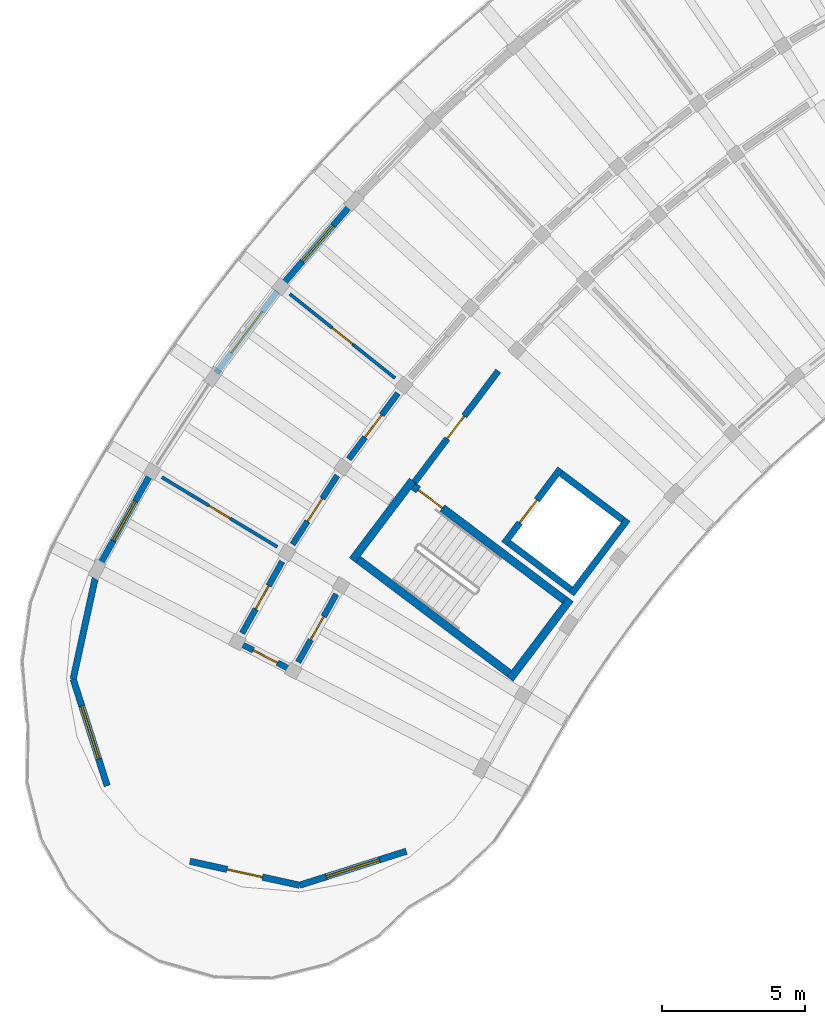
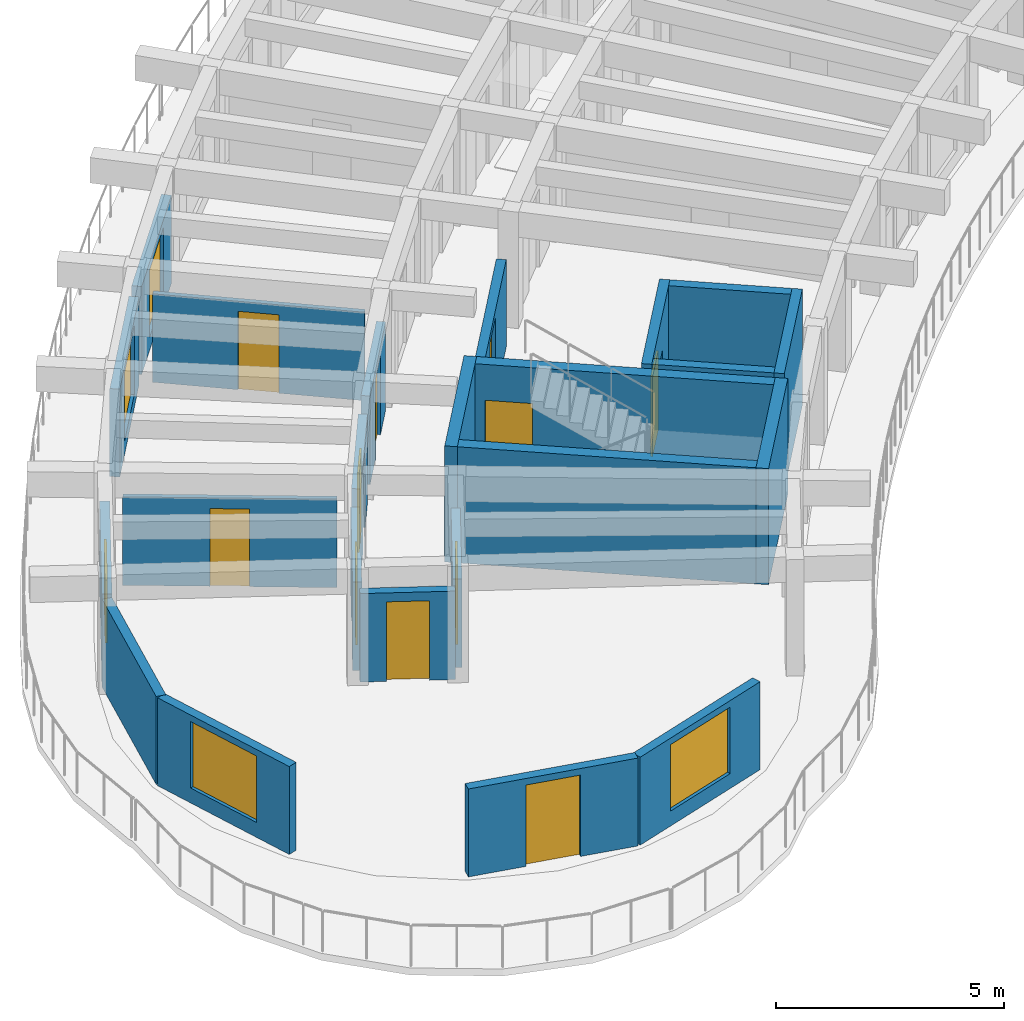
# One storey, part 9 of 19: 23 walls, 11 doors, 5 windows, 16 openings.
"""IFC4 building model written with IfcOpenShell, lengths in metres."""

import ifcopenshell
import ifcopenshell.guid

model = None  # the IFC model being written
_history = None  # IfcOwnerHistory: only IFC2X3 demands one
_inside = {}  # id of a spatial element -> (the spatial element, [elements in it])
_under = {}  # id of a project, library or spatial element -> (it, [spatial elements below it])
_declared = {}  # id of a project -> (the project, [libraries it declares])
_typed = {}  # id of a type object -> (the type object, [elements of that type])
_made_of = {}  # id of a material, layer set ... -> (it, [elements and type objects made of it])


def new_model(schema):
    """Start an empty IFC model of exactly this schema.

    Asked for "IFC4X3", IfcOpenShell would pick the latest addendum, in which some entities
    have other attributes; the version numbers below select the first issue.
    IFC2X3 requires an IfcOwnerHistory on every rooted entity: one is made here for all.
    """
    global model, _history
    if schema == "IFC4X3":
        model = ifcopenshell.file(schema_version=(4, 3, 0, 0))
    else:
        model = ifcopenshell.file(schema=schema)
    _inside.clear()
    _under.clear()
    _declared.clear()
    _typed.clear()
    _made_of.clear()
    _history = None
    if model.schema == "IFC2X3":
        org = make("IfcOrganization", Name="unknown")
        user = make(
            "IfcPersonAndOrganization",
            ThePerson=make("IfcPerson", FamilyName="unknown"),
            TheOrganization=org,
        )
        app = make(
            "IfcApplication",
            ApplicationDeveloper=org,
            Version="unknown",
            ApplicationFullName="unknown",
            ApplicationIdentifier="unknown",
        )
        _history = make(
            "IfcOwnerHistory",
            OwningUser=user,
            OwningApplication=app,
            ChangeAction="ADDED",
            CreationDate=0,
        )
    return model


def make(cls, **values):
    """One entity of the class cls with the attributes given. An attribute that is None is left unset."""
    return model.create_entity(
        cls, **{name: value for name, value in values.items() if value is not None}
    )


def rooted(cls, **values):
    """An entity with a GlobalId (a new one), such as an element, a storey or a relation."""
    return make(cls, GlobalId=ifcopenshell.guid.new(), OwnerHistory=_history, **values)


def si_unit(unit_type, name, prefix=None):
    """IfcSIUnit, for example si_unit("LENGTHUNIT", "METRE", prefix="MILLI")."""
    return make("IfcSIUnit", UnitType=unit_type, Prefix=prefix, Name=name)


def assignment(units):
    """IfcUnitAssignment: the units of a project."""
    return None if units is None else make("IfcUnitAssignment", Units=units)


def point(xyz):
    """IfcCartesianPoint."""
    return None if xyz is None else make("IfcCartesianPoint", Coordinates=xyz)


def direction(xyz):
    """IfcDirection."""
    return None if xyz is None else make("IfcDirection", DirectionRatios=xyz)


def frame(location, z_axis=None, x_axis=None):
    """IfcAxis2Placement3D, a coordinate frame: its origin and axes. An axis left out is left unset."""
    return make(
        "IfcAxis2Placement3D",
        Location=point(location),
        Axis=direction(z_axis),
        RefDirection=direction(x_axis),
    )


def frame_2d(location, x_axis=None):
    """IfcAxis2Placement2D, a coordinate frame in the plane: its origin and x axis."""
    return make(
        "IfcAxis2Placement2D", Location=point(location), RefDirection=direction(x_axis)
    )


def origin():
    """The frame at (0, 0, 0) with its axes left unset."""
    return frame((0.0, 0.0, 0.0))


def place(relative_to, where):
    """IfcLocalPlacement: puts the frame where relative to a parent placement (None: the world)."""
    return make(
        "IfcLocalPlacement", PlacementRelTo=relative_to, RelativePlacement=where
    )


def context(
    kind, dimensions, precision=None, world=None, true_north=None, identifier=None
):
    """IfcGeometricRepresentationContext, for example the 3D "Model" context."""
    return make(
        "IfcGeometricRepresentationContext",
        ContextIdentifier=identifier,
        ContextType=kind,
        CoordinateSpaceDimension=dimensions,
        Precision=precision,
        WorldCoordinateSystem=world,
        TrueNorth=true_north,
    )


def subcontext(parent, identifier, kind, view, scale=None):
    """IfcGeometricRepresentationSubContext, for example "Body" below "Model"."""
    return make(
        "IfcGeometricRepresentationSubContext",
        ContextIdentifier=identifier,
        ContextType=kind,
        ParentContext=parent,
        TargetScale=scale,
        TargetView=view,
    )


def project(units=None, contexts=None):
    """IfcProject with its units and contexts."""
    return rooted(
        "IfcProject",
        Name="project",
        RepresentationContexts=contexts,
        UnitsInContext=assignment(units),
    )


def spatial(cls, under=None, at=None, **own):
    """A site, building, storey or space (cls), placed at a placement, below another one or the project."""
    s = rooted(cls, ObjectPlacement=at, **own)
    if under is not None:
        _under.setdefault(under.id(), (under, []))[1].append(s)
    return s


def profile(cls, at=None, kind="AREA", **sizes):
    """A parametric profile (cls). Its sizes go by their IFC names, for example OverallWidth=200.0."""
    return make(cls, ProfileType=kind, Position=at, **sizes)


def rectangle(**sizes):
    """IfcRectangleProfileDef."""
    return profile("IfcRectangleProfileDef", **sizes)


def extrude(swept, where, along, depth):
    """IfcExtrudedAreaSolid: the profile swept, set in the frame where, extruded along a direction by depth."""
    return make(
        "IfcExtrudedAreaSolid",
        SweptArea=swept,
        Position=where,
        ExtrudedDirection=direction(along),
        Depth=depth,
    )


def shape(context_of_items, identifier, shape_type, items):
    """IfcShapeRepresentation: the items that make up one representation, for example the "Body"."""
    return make(
        "IfcShapeRepresentation",
        ContextOfItems=context_of_items,
        RepresentationIdentifier=identifier,
        RepresentationType=shape_type,
        Items=items,
    )


def material(Name=None, Category=None):
    """IfcMaterial."""
    return make("IfcMaterial", Name=Name, Category=Category)


def layer(
    of_material, thickness, ventilated=None, Name=None, Category=None, Priority=None
):
    """IfcMaterialLayer: one layer of a wall or slab, of a material (None: an air gap)."""
    return make(
        "IfcMaterialLayer",
        Material=of_material,
        LayerThickness=thickness,
        IsVentilated=ventilated,
        Name=Name,
        Category=Category,
        Priority=Priority,
    )


def layer_set(layers, Name=None):
    """IfcMaterialLayerSet."""
    return make("IfcMaterialLayerSet", MaterialLayers=layers, LayerSetName=Name)


def made_of(thing, what):
    """Note that an element or type object is made of a material, layer set ...; save() writes the relation."""
    if what is not None:
        _made_of.setdefault(what.id(), (what, []))[1].append(thing)
    return thing


def type_object(cls, material=None, **own):
    """A type object (cls), such as IfcWallType, which elements share."""
    return made_of(rooted(cls, **own), material)


def element(
    cls,
    number,
    at=None,
    inside=None,
    cuts=None,
    type_object=None,
    material=None,
    context=None,
    identifier="Body",
    shape_type=None,
    held_by="IfcProductDefinitionShape",
    body=None,
    shapes=None,
    **own,
):
    """One element of the class cls, such as IfcWall. Its Tag is "e" and its number.

    at: its placement. inside: the storey or other place that contains it. cuts: it is an
    opening in that element (IfcRelVoidsElement). A single representation is given by context,
    identifier, shape_type and body (its items); several are given by shapes. held_by: the class
    of the entity that holds the representations. save() writes the other relations.
    """
    e = rooted(cls, Tag="e%d" % number, ObjectPlacement=at, **own)
    if body is not None:
        shapes = [shape(context, identifier, shape_type, body)]
    if shapes is not None:
        e.Representation = make(held_by, Representations=shapes)
    if inside is not None:
        _inside.setdefault(inside.id(), (inside, []))[1].append(e)
    if cuts is not None:
        rooted(
            "IfcRelVoidsElement", RelatingBuildingElement=cuts, RelatedOpeningElement=e
        )
    if type_object is not None:
        _typed.setdefault(type_object.id(), (type_object, []))[1].append(e)
    return made_of(e, material)


def fill(opening, filler):
    """IfcRelFillsElement: the door or window that sits in an opening."""
    return rooted(
        "IfcRelFillsElement",
        RelatingOpeningElement=opening,
        RelatedBuildingElement=filler,
    )


def aggregate(whole, parts):
    """IfcRelAggregates: a whole, such as a stair, and the parts it consists of."""
    return rooted("IfcRelAggregates", RelatingObject=whole, RelatedObjects=parts)


def save(model, path):
    """Write the relations noted so far, then the file.

    IfcRelAggregates (storeys below a building ...), IfcRelContainedInSpatialStructure (elements
    in a storey), IfcRelDefinesByType, IfcRelAssociatesMaterial and IfcRelDeclares: one each for
    every whole, place, type object, material and project.
    """
    for whole, parts in _under.values():
        aggregate(whole, parts)
    for where, things in _inside.values():
        rooted(
            "IfcRelContainedInSpatialStructure",
            RelatedElements=things,
            RelatingStructure=where,
        )
    for kind, things in _typed.values():
        rooted("IfcRelDefinesByType", RelatedObjects=things, RelatingType=kind)
    for what, things in _made_of.values():
        rooted("IfcRelAssociatesMaterial", RelatedObjects=things, RelatingMaterial=what)
    for by, libraries in _declared.values():
        rooted("IfcRelDeclares", RelatingContext=by, RelatedDefinitions=libraries)
    model.write(path)


model = new_model("IFC4")

# Units and contexts
model_context = context("Model", 3, precision=1e-05, world=origin(), true_north=direction((0.0, 1.0)))
body_context = subcontext(model_context, "Body", "Model", "MODEL_VIEW")
ifc_project = project(units=[si_unit("LENGTHUNIT", "METRE"), si_unit("AREAUNIT", "SQUARE_METRE"), si_unit("VOLUMEUNIT", "CUBIC_METRE"), si_unit("PLANEANGLEUNIT", "RADIAN"), si_unit("MASSUNIT", "GRAM", prefix="KILO")], contexts=[model_context])

# Site, building, storey
site_placement = place(None, origin())
site = spatial("IfcSite", under=ifc_project, at=site_placement, CompositionType="ELEMENT")
building_placement = place(site_placement, origin())
building = spatial("IfcBuilding", under=site, at=building_placement, Name="Tanwirah Colonnade Gardens", CompositionType="ELEMENT")
storey_placement = place(building_placement, frame((0.0, 0.0, 45.800048828125)))
storey = spatial("IfcBuildingStorey", under=building, at=storey_placement, Name="L13", CompositionType="ELEMENT", Elevation=45.800048828125)

# Wall, opening, window
ifc_material_1 = material(Name="Limestone architectural precast concrete C40/50", Category="masonry")
ifc_layer_1 = layer(ifc_material_1, 0.22509765625)
ifc_layer_set_1 = layer_set([ifc_layer_1], Name="Limestone architectural precast concrete C40/50")
wall_type_1 = type_object("IfcWallType", Name="EW-PC225", PredefinedType="SOLIDWALL", material=ifc_layer_set_1)
wall_1_placement = place(storey_placement, frame((20.948974609375, 100.263427734375, 0.0), z_axis=(0.0, 0.0, 1.0), x_axis=(-0.650198292739, -0.759764555714, 0.0)))
wall_1 = element("IfcWall", 1, at=wall_1_placement, inside=storey, type_object=wall_type_1, Name="Block A L13 OUT Precast Facade Wall 11", PredefinedType="SOLIDWALL", context=body_context, shape_type="SweptSolid", body=[
    extrude(rectangle(XDim=3.560791015625, YDim=0.22509765625, at=frame_2d((1.7802734375, 0.0))), origin(), (0.0, 0.0, 1.0), 2.35498046875),
])
opening_1_placement = place(wall_1_placement, frame((0.955322265625, 0.0, 0.35009765625)))
opening_1 = element("IfcOpeningElement", 2, at=opening_1_placement, cuts=wall_1, Name="Opening WIN-T11", PredefinedType="OPENING", context=body_context, shape_type="SweptSolid", body=[
    extrude(rectangle(XDim=1.64990234375, YDim=1.800048828125, at=frame_2d((0.824951171875, 0.89990234375))), frame((0.0, 0.12255859375, 0.0), z_axis=(0.0, -1.0, 0.0), x_axis=(1.0, 0.0, 0.0)), (0.0, 0.0, 1.0), 0.2451171875),
])
ifc_material_2 = material(Name="Thermally broken bronze aluminium and solar low-E double glazing", Category="aluminium")
window_type_1 = type_object("IfcWindowType", Name="WIN-T11", PartitioningType="DOUBLE_PANEL_VERTICAL", PredefinedType="WINDOW", material=ifc_material_2)
window_1_placement = place(opening_1_placement, origin())
window_1 = element("IfcWindow", 3, at=window_1_placement, inside=storey, type_object=window_type_1, Name="Facade window A-L13-OUT-11", OverallHeight=1.800048828125, OverallWidth=1.64990234375, PartitioningType="SINGLE_PANEL", PredefinedType="WINDOW", context=body_context, shape_type="SweptSolid", body=[
    extrude(rectangle(XDim=1.64990234375, YDim=1.800048828125, at=frame_2d((0.824951171875, 0.89990234375))), frame((0.0, 0.030029296875, 0.0), z_axis=(0.0, -1.0, 0.0), x_axis=(1.0, 0.0, 0.0)), (0.0, 0.0, 1.0), 0.06005859375),
])
fill(opening_1, window_1)

wall_2_placement = place(storey_placement, frame((18.384033203125, 97.245849609375, 0.0), z_axis=(0.0, 0.0, 1.0), x_axis=(-0.598737598815, -0.800945246422, 0.0)))
wall_2 = element("IfcWall", 4, at=wall_2_placement, inside=storey, type_object=wall_type_1, Name="Block A L13 OUT Precast Facade Wall 12", PredefinedType="SOLIDWALL", context=body_context, shape_type="SweptSolid", body=[
    extrude(rectangle(XDim=3.560546875, YDim=0.22509765625, at=frame_2d((1.7802734375, 0.0))), origin(), (0.0, 0.0, 1.0), 2.35498046875),
])
opening_2_placement = place(wall_2_placement, frame((0.88037109375, 0.0, 0.35009765625)))
opening_2 = element("IfcOpeningElement", 5, at=opening_2_placement, cuts=wall_2, Name="Opening WIN-T14", PredefinedType="OPENING", context=body_context, shape_type="SweptSolid", body=[
    extrude(rectangle(XDim=1.800048828125, YDim=1.85009765625, at=frame_2d((0.89990234375, 0.925048828125))), frame((0.0, 0.12255859375, 0.0), z_axis=(0.0, -1.0, 0.0), x_axis=(1.0, 0.0, 0.0)), (0.0, 0.0, 1.0), 0.2451171875),
])
window_type_2 = type_object("IfcWindowType", Name="WIN-T14", PartitioningType="TRIPLE_PANEL_VERTICAL", PredefinedType="WINDOW", material=ifc_material_2)
window_2_placement = place(opening_2_placement, origin())
window_2 = element("IfcWindow", 6, at=window_2_placement, inside=storey, type_object=window_type_2, Name="Facade window A-L13-OUT-12", OverallHeight=1.85009765625, OverallWidth=1.800048828125, PartitioningType="SINGLE_PANEL", PredefinedType="WINDOW", context=body_context, shape_type="SweptSolid", body=[
    extrude(rectangle(XDim=1.800048828125, YDim=1.85009765625, at=frame_2d((0.89990234375, 0.925048828125))), frame((0.0, 0.030029296875, 0.0), z_axis=(0.0, -1.0, 0.0), x_axis=(1.0, 0.0, 0.0)), (0.0, 0.0, 1.0), 0.06005859375),
])
fill(opening_2, window_2)

wall_3_placement = place(storey_placement, frame((13.917724609375, 90.794921875, 0.0), z_axis=(0.0, 0.0, 1.0), x_axis=(-0.488225442288, -0.872717547379, 0.0)))
wall_3 = element("IfcWall", 7, at=wall_3_placement, inside=storey, type_object=wall_type_1, Name="Block A L13 OUT Precast Facade Wall 14", PredefinedType="SOLIDWALL", context=body_context, shape_type="SweptSolid", body=[
    extrude(rectangle(XDim=3.560791015625, YDim=0.22509765625, at=frame_2d((1.7802734375, 0.0))), origin(), (0.0, 0.0, 1.0), 2.35498046875),
])
opening_3_placement = place(wall_3_placement, frame((0.990478515625, 0.0, 0.35009765625)))
opening_3 = element("IfcOpeningElement", 8, at=opening_3_placement, cuts=wall_3, Name="Opening WIN-T20", PredefinedType="OPENING", context=body_context, shape_type="SweptSolid", body=[
    extrude(rectangle(XDim=1.580078125, YDim=1.679931640625, at=frame_2d((0.7900390625, 0.83984375))), frame((0.0, 0.12255859375, 0.0), z_axis=(0.0, -1.0, 0.0), x_axis=(1.0, 0.0, 0.0)), (0.0, 0.0, 1.0), 0.2451171875),
])
window_type_3 = type_object("IfcWindowType", Name="WIN-T20", PartitioningType="DOUBLE_PANEL_VERTICAL", PredefinedType="WINDOW", material=ifc_material_2)
window_3_placement = place(opening_3_placement, origin())
window_3 = element("IfcWindow", 9, at=window_3_placement, inside=storey, type_object=window_type_3, Name="Facade window A-L13-OUT-14", OverallHeight=1.679931640625, OverallWidth=1.580078125, PartitioningType="SINGLE_PANEL", PredefinedType="WINDOW", context=body_context, shape_type="SweptSolid", body=[
    extrude(rectangle(XDim=1.580078125, YDim=1.679931640625, at=frame_2d((0.7900390625, 0.83984375))), frame((0.0, 0.030029296875, 0.0), z_axis=(0.0, -1.0, 0.0), x_axis=(1.0, 0.0, 0.0)), (0.0, 0.0, 1.0), 0.06005859375),
])
fill(opening_3, window_3)

wall_4_placement = place(storey_placement, frame((22.880859375, 77.720947265625, 0.0), z_axis=(0.0, 0.0, 1.0), x_axis=(-0.952839597628, -0.30347438309, 0.0)))
wall_4 = element("IfcWall", 10, at=wall_4_placement, inside=storey, type_object=wall_type_1, Name="Block A L13 END Rounded End Wall 1", PredefinedType="SOLIDWALL", context=body_context, shape_type="SweptSolid", body=[
    extrude(rectangle(XDim=3.908203125, YDim=0.22509765625, at=frame_2d((1.9541015625, 0.0))), origin(), (0.0, 0.0, 1.0), 2.35498046875),
])
opening_4_placement = place(wall_4_placement, frame((0.97900390625, 0.0, 0.39990234375)))
opening_4 = element("IfcOpeningElement", 11, at=opening_4_placement, cuts=wall_4, Name="Opening WIN-END2", PredefinedType="OPENING", context=body_context, shape_type="SweptSolid", body=[
    extrude(rectangle(XDim=1.949951171875, YDim=1.780029296875, at=frame_2d((0.97509765625, 0.89013671875))), frame((0.0, 0.12255859375, 0.0), z_axis=(0.0, -1.0, 0.0), x_axis=(1.0, 0.0, 0.0)), (0.0, 0.0, 1.0), 0.2451171875),
])
window_type_4 = type_object("IfcWindowType", Name="WIN-END2", PartitioningType="TRIPLE_PANEL_VERTICAL", PredefinedType="WINDOW", material=ifc_material_2)
window_4_placement = place(opening_4_placement, origin())
window_4 = element("IfcWindow", 12, at=window_4_placement, inside=storey, type_object=window_type_4, Name="Rounded corner window A-L13-END-1", OverallHeight=1.780029296875, OverallWidth=1.949951171875, PartitioningType="SINGLE_PANEL", PredefinedType="WINDOW", context=body_context, shape_type="SweptSolid", body=[
    extrude(rectangle(XDim=1.949951171875, YDim=1.780029296875, at=frame_2d((0.97509765625, 0.89013671875))), frame((0.0, 0.030029296875, 0.0), z_axis=(0.0, -1.0, 0.0), x_axis=(1.0, 0.0, 0.0)), (0.0, 0.0, 1.0), 0.06005859375),
])
fill(opening_4, window_4)

# Wall, opening, door
wall_5_placement = place(storey_placement, frame((19.156982421875, 76.534912109375, 0.0), z_axis=(0.0, 0.0, 1.0), x_axis=(-0.976923649148, 0.213588819314, 0.0)))
wall_5 = element("IfcWall", 13, at=wall_5_placement, inside=storey, type_object=wall_type_1, Name="Block A L13 END Rounded End Wall 2", PredefinedType="SOLIDWALL", context=body_context, shape_type="SweptSolid", body=[
    extrude(rectangle(XDim=3.907958984375, YDim=0.22509765625, at=frame_2d((1.9541015625, 0.0))), origin(), (0.0, 0.0, 1.0), 2.35498046875),
])
opening_5_placement = place(wall_5_placement, frame((1.32421875, 0.0, 0.0)))
opening_5 = element("IfcOpeningElement", 14, at=opening_5_placement, cuts=wall_5, Name="Opening L13-ED064", PredefinedType="OPENING", context=body_context, shape_type="SweptSolid", body=[
    extrude(rectangle(XDim=1.260009765625, YDim=2.179931640625, at=frame_2d((0.6298828125, 1.08984375))), frame((0.0, 0.12255859375, 0.0), z_axis=(0.0, -1.0, 0.0), x_axis=(1.0, 0.0, 0.0)), (0.0, 0.0, 1.0), 0.2451171875),
])
ifc_material_3 = material(Name="Bronze aluminium glazed terrace door", Category="aluminium")
door_type_1 = type_object("IfcDoorType", Name="ED-TER126", OperationType="NOTDEFINED", PredefinedType="DOOR", material=ifc_material_3)
door_1_placement = place(opening_5_placement, origin())
door_1 = element("IfcDoor", 15, at=door_1_placement, inside=storey, type_object=door_type_1, Name="Stepped corner terrace door L13-ED064", OperationType="SINGLE_SWING_LEFT", OverallHeight=2.179931640625, OverallWidth=1.260009765625, PredefinedType="DOOR", context=body_context, shape_type="SweptSolid", body=[
    extrude(rectangle(XDim=1.260009765625, YDim=2.179931640625, at=frame_2d((0.6298828125, 1.08984375))), frame((0.0, 0.02490234375, 0.0), z_axis=(0.0, -1.0, 0.0), x_axis=(1.0, 0.0, 0.0)), (0.0, 0.0, 1.0), 0.050048828125),
])
fill(opening_5, door_1)

# Wall, opening, window
wall_6_placement = place(storey_placement, frame((12.449951171875, 80.00146484375, 0.0), z_axis=(0.0, 0.0, 1.0), x_axis=(-0.30347438309, 0.952839597628, 0.0)))
wall_6 = element("IfcWall", 16, at=wall_6_placement, inside=storey, type_object=wall_type_1, Name="Block A L13 END Rounded End Wall 4", PredefinedType="SOLIDWALL", context=body_context, shape_type="SweptSolid", body=[
    extrude(rectangle(XDim=3.908203125, YDim=0.22509765625, at=frame_2d((1.9541015625, 0.0))), origin(), (0.0, 0.0, 1.0), 2.35498046875),
])
opening_6_placement = place(wall_6_placement, frame((0.97900390625, 0.0, 0.39990234375)))
opening_6 = element("IfcOpeningElement", 17, at=opening_6_placement, cuts=wall_6, Name="Opening WIN-END2", PredefinedType="OPENING", context=body_context, shape_type="SweptSolid", body=[
    extrude(rectangle(XDim=1.949951171875, YDim=1.780029296875, at=frame_2d((0.97509765625, 0.89013671875))), frame((0.0, 0.12255859375, 0.0), z_axis=(0.0, -1.0, 0.0), x_axis=(1.0, 0.0, 0.0)), (0.0, 0.0, 1.0), 0.2451171875),
])
window_5_placement = place(opening_6_placement, origin())
window_5 = element("IfcWindow", 18, at=window_5_placement, inside=storey, type_object=window_type_4, Name="Rounded corner window A-L13-END-4", OverallHeight=1.780029296875, OverallWidth=1.949951171875, PartitioningType="SINGLE_PANEL", PredefinedType="WINDOW", context=body_context, shape_type="SweptSolid", body=[
    extrude(rectangle(XDim=1.949951171875, YDim=1.780029296875, at=frame_2d((0.97509765625, 0.89013671875))), frame((0.0, 0.030029296875, 0.0), z_axis=(0.0, -1.0, 0.0), x_axis=(1.0, 0.0, 0.0)), (0.0, 0.0, 1.0), 0.06005859375),
])
fill(opening_6, window_5)

# Wall
wall_7_placement = place(storey_placement, frame((11.263916015625, 83.725341796875, 0.0), z_axis=(0.0, 0.0, 1.0), x_axis=(0.213575784865, 0.976926498832, 0.0)))
element("IfcWall", 19, at=wall_7_placement, inside=storey, type_object=wall_type_1, Name="Block A L13 END Rounded End Wall 5", PredefinedType="SOLIDWALL", context=body_context, shape_type="SweptSolid", body=[
    extrude(rectangle(XDim=3.908203125, YDim=0.22509765625, at=frame_2d((1.9541015625, 0.0))), origin(), (0.0, 0.0, 1.0), 2.35498046875),
])

# Wall, opening, door
ifc_material_4 = material(Name="Precast concrete C40/50", Category="concrete")
ifc_layer_2 = layer(ifc_material_4, 0.205078125)
ifc_layer_set_2 = layer_set([ifc_layer_2], Name="Precast concrete C40/50")
wall_type_2 = type_object("IfcWallType", Name="IW-CORR205", PredefinedType="PARTITIONING", material=ifc_layer_set_2)
wall_8_placement = place(storey_placement, frame((22.588623046875, 93.689453125, 0.0), z_axis=(0.0, 0.0, 1.0), x_axis=(-0.598757763243, -0.800930172335, 0.0)))
wall_8 = element("IfcWall", 20, at=wall_8_placement, inside=storey, type_object=wall_type_2, Name="Block A L13 OUT Corridor Wall 12", PredefinedType="PARTITIONING", context=body_context, shape_type="SweptSolid", body=[
    extrude(rectangle(XDim=2.86328125, YDim=0.205078125, at=frame_2d((1.431640625, 0.0))), origin(), (0.0, 0.0, 1.0), 2.369873046875),
])
opening_7_placement = place(wall_8_placement, frame((0.946533203125, 0.0, 0.0)))
opening_7 = element("IfcOpeningElement", 21, at=opening_7_placement, cuts=wall_8, Name="Opening L13-AD759", PredefinedType="OPENING", context=body_context, shape_type="SweptSolid", body=[
    extrude(rectangle(XDim=0.969970703125, YDim=2.14990234375, at=frame_2d((0.48486328125, 1.074951171875))), frame((0.0, 0.112548828125, 0.0), z_axis=(0.0, -1.0, 0.0), x_axis=(1.0, 0.0, 0.0)), (0.0, 0.0, 1.0), 0.22509765625),
])
ifc_material_5 = material(Name="Solid oak fire-resisting apartment entrance door")
door_type_2 = type_object("IfcDoorType", Name="ID-FLT097", OperationType="NOTDEFINED", PredefinedType="DOOR", material=ifc_material_5)
door_2_placement = place(opening_7_placement, origin())
door_2 = element("IfcDoor", 22, at=door_2_placement, inside=storey, type_object=door_type_2, Name="Apartment corridor door L13-AD759", OperationType="SINGLE_SWING_RIGHT", OverallHeight=2.14990234375, OverallWidth=0.969970703125, PredefinedType="DOOR", context=body_context, shape_type="SweptSolid", body=[
    extrude(rectangle(XDim=0.969970703125, YDim=2.14990234375, at=frame_2d((0.48486328125, 1.074951171875))), frame((0.0, 0.02490234375, 0.0), z_axis=(0.0, -1.0, 0.0), x_axis=(1.0, 0.0, 0.0)), (0.0, 0.0, 1.0), 0.050048828125),
])
fill(opening_7, door_2)

wall_9_placement = place(storey_placement, frame((20.47412109375, 90.822265625, 0.0), z_axis=(0.0, 0.0, 1.0), x_axis=(-0.544643612649, -0.838667595178, 0.0)))
wall_9 = element("IfcWall", 23, at=wall_9_placement, inside=storey, type_object=wall_type_2, Name="Block A L13 OUT Corridor Wall 13", PredefinedType="PARTITIONING", context=body_context, shape_type="SweptSolid", body=[
    extrude(rectangle(XDim=2.863037109375, YDim=0.205078125, at=frame_2d((1.431640625, 0.0))), origin(), (0.0, 0.0, 1.0), 2.369873046875),
])
opening_8_placement = place(wall_9_placement, frame((0.95654296875, 0.0, 0.0)))
opening_8 = element("IfcOpeningElement", 24, at=opening_8_placement, cuts=wall_9, Name="Opening L13-AD760", PredefinedType="OPENING", context=body_context, shape_type="SweptSolid", body=[
    extrude(rectangle(XDim=0.949951171875, YDim=2.1298828125, at=frame_2d((0.47509765625, 1.06494140625))), frame((0.0, 0.112548828125, 0.0), z_axis=(0.0, -1.0, 0.0), x_axis=(1.0, 0.0, 0.0)), (0.0, 0.0, 1.0), 0.22509765625),
])
door_type_3 = type_object("IfcDoorType", Name="ID-FLT095", OperationType="NOTDEFINED", PredefinedType="DOOR", material=ifc_material_5)
door_3_placement = place(opening_8_placement, origin())
door_3 = element("IfcDoor", 25, at=door_3_placement, inside=storey, type_object=door_type_3, Name="Apartment corridor door L13-AD760", OperationType="SINGLE_SWING_LEFT", OverallHeight=2.1298828125, OverallWidth=0.949951171875, PredefinedType="DOOR", context=body_context, shape_type="SweptSolid", body=[
    extrude(rectangle(XDim=0.949951171875, YDim=2.1298828125, at=frame_2d((0.47509765625, 1.06494140625))), frame((0.0, 0.02490234375, 0.0), z_axis=(0.0, -1.0, 0.0), x_axis=(1.0, 0.0, 0.0)), (0.0, 0.0, 1.0), 0.050048828125),
])
fill(opening_8, door_3)

wall_10_placement = place(storey_placement, frame((18.55322265625, 87.822021484375, 0.0), z_axis=(0.0, 0.0, 1.0), x_axis=(-0.488211211273, -0.872725508501, 0.0)))
wall_10 = element("IfcWall", 26, at=wall_10_placement, inside=storey, type_object=wall_type_2, Name="Block A L13 OUT Corridor Wall 14", PredefinedType="PARTITIONING", context=body_context, shape_type="SweptSolid", body=[
    extrude(rectangle(XDim=2.86279296875, YDim=0.205078125, at=frame_2d((1.431396484375, 0.0))), origin(), (0.0, 0.0, 1.0), 2.369873046875),
])
opening_9_placement = place(wall_10_placement, frame((0.966552734375, 0.0, 0.0)))
opening_9 = element("IfcOpeningElement", 27, at=opening_9_placement, cuts=wall_10, Name="Opening L13-AD762", PredefinedType="OPENING", context=body_context, shape_type="SweptSolid", body=[
    extrude(rectangle(XDim=0.929931640625, YDim=2.1201171875, at=frame_2d((0.46484375, 1.06005859375))), frame((0.0, 0.112548828125, 0.0), z_axis=(0.0, -1.0, 0.0), x_axis=(1.0, 0.0, 0.0)), (0.0, 0.0, 1.0), 0.22509765625),
])
door_type_4 = type_object("IfcDoorType", Name="ID-FLT093", OperationType="NOTDEFINED", PredefinedType="DOOR", material=ifc_material_5)
door_4_placement = place(opening_9_placement, origin())
door_4 = element("IfcDoor", 28, at=door_4_placement, inside=storey, type_object=door_type_4, Name="Apartment corridor door L13-AD762", OperationType="SINGLE_SWING_RIGHT", OverallHeight=2.1201171875, OverallWidth=0.929931640625, PredefinedType="DOOR", context=body_context, shape_type="SweptSolid", body=[
    extrude(rectangle(XDim=0.929931640625, YDim=2.1201171875, at=frame_2d((0.46484375, 1.06005859375))), frame((0.0, 0.02490234375, 0.0), z_axis=(0.0, -1.0, 0.0), x_axis=(1.0, 0.0, 0.0)), (0.0, 0.0, 1.0), 0.050048828125),
])
fill(opening_9, door_4)

wall_11_placement = place(storey_placement, frame((20.436767578125, 86.685302734375, 0.0), z_axis=(0.0, 0.0, 1.0), x_axis=(-0.48819576874, -0.872734147025, 0.0)))
wall_11 = element("IfcWall", 29, at=wall_11_placement, inside=storey, type_object=wall_type_2, Name="Block A L13 IN Corridor Wall 14", PredefinedType="PARTITIONING", context=body_context, shape_type="SweptSolid", body=[
    extrude(rectangle(XDim=2.718017578125, YDim=0.205078125, at=frame_2d((1.35888671875, 0.0))), origin(), (0.0, 0.0, 1.0), 2.369873046875),
])
opening_10_placement = place(wall_11_placement, frame((0.89404296875, 0.0, 0.0)))
opening_10 = element("IfcOpeningElement", 30, at=opening_10_placement, cuts=wall_11, Name="Opening L13-AD763", PredefinedType="OPENING", context=body_context, shape_type="SweptSolid", body=[
    extrude(rectangle(XDim=0.929931640625, YDim=2.1201171875, at=frame_2d((0.46484375, 1.06005859375))), frame((0.0, 0.112548828125, 0.0), z_axis=(0.0, -1.0, 0.0), x_axis=(1.0, 0.0, 0.0)), (0.0, 0.0, 1.0), 0.22509765625),
])
door_5_placement = place(opening_10_placement, origin())
door_5 = element("IfcDoor", 31, at=door_5_placement, inside=storey, type_object=door_type_4, Name="Apartment corridor door L13-AD763", OperationType="SINGLE_SWING_LEFT", OverallHeight=2.1201171875, OverallWidth=0.929931640625, PredefinedType="DOOR", context=body_context, shape_type="SweptSolid", body=[
    extrude(rectangle(XDim=0.929931640625, YDim=2.1201171875, at=frame_2d((0.46484375, 1.06005859375))), frame((0.0, 0.02490234375, 0.0), z_axis=(0.0, -1.0, 0.0), x_axis=(1.0, 0.0, 0.0)), (0.0, 0.0, 1.0), 0.050048828125),
])
fill(opening_10, door_5)

wall_12_placement = place(storey_placement, frame((18.89453125, 84.03076171875, 0.0), z_axis=(0.0, 0.0, 1.0), x_axis=(-0.888371375666, 0.459125580749, 0.0)))
wall_12 = element("IfcWall", 32, at=wall_12_placement, inside=storey, type_object=wall_type_2, Name="Block A L13 CE Corner Suite Corridor Wall", PredefinedType="PARTITIONING", context=body_context, shape_type="SweptSolid", body=[
    extrude(rectangle(XDim=2.099853515625, YDim=0.205078125, at=frame_2d((1.0498046875, 0.0))), origin(), (0.0, 0.0, 1.0), 2.369873046875),
])
opening_11_placement = place(wall_12_placement, frame((0.570068359375, 0.0, 0.0)))
opening_11 = element("IfcOpeningElement", 33, at=opening_11_placement, cuts=wall_12, Name="Opening L13-CD765", PredefinedType="OPENING", context=body_context, shape_type="SweptSolid", body=[
    extrude(rectangle(XDim=0.949951171875, YDim=2.1298828125, at=frame_2d((0.47509765625, 1.06494140625))), frame((0.0, 0.112548828125, 0.0), z_axis=(0.0, -1.0, 0.0), x_axis=(1.0, 0.0, 0.0)), (0.0, 0.0, 1.0), 0.22509765625),
])
door_6_placement = place(opening_11_placement, origin())
door_6 = element("IfcDoor", 34, at=door_6_placement, inside=storey, type_object=door_type_3, Name="Corner suite entrance door L13-CD765", OperationType="SINGLE_SWING_RIGHT", OverallHeight=2.1298828125, OverallWidth=0.949951171875, PredefinedType="DOOR", context=body_context, shape_type="SweptSolid", body=[
    extrude(rectangle(XDim=0.949951171875, YDim=2.1298828125, at=frame_2d((0.47509765625, 1.06494140625))), frame((0.0, 0.02490234375, 0.0), z_axis=(0.0, -1.0, 0.0), x_axis=(1.0, 0.0, 0.0)), (0.0, 0.0, 1.0), 0.050048828125),
])
fill(opening_11, door_6)

ifc_material_6 = material(Name="Autoclaved aerated masonry blockwork", Category="masonry")
ifc_layer_3 = layer(ifc_material_6, 0.219970703125)
ifc_layer_set_3 = layer_set([ifc_layer_3], Name="Autoclaved aerated masonry blockwork")
wall_type_3 = type_object("IfcWallType", Name="IW-FFL220", PredefinedType="PARTITIONING", material=ifc_layer_set_3)
wall_13_placement = place(storey_placement, frame((23.138916015625, 90.55517578125, 0.0), z_axis=(0.0, 0.0, 1.0), x_axis=(0.601792209296, 0.79865270101, 0.0)))
wall_13 = element("IfcWall", 35, at=wall_13_placement, inside=storey, type_object=wall_type_3, Name="CORE-A2 L13 Enclosed Lobby Fire Wall", PredefinedType="PARTITIONING", context=body_context, shape_type="SweptSolid", body=[
    extrude(rectangle(XDim=4.89990234375, YDim=0.219970703125, at=frame_2d((2.449951171875, 0.0))), origin(), (0.0, 0.0, 1.0), 2.33984375),
])
opening_12_placement = place(wall_13_placement, frame((1.949951171875, 0.0, 0.0)))
opening_12 = element("IfcOpeningElement", 36, at=opening_12_placement, cuts=wall_13, Name="Opening L13-LD063", PredefinedType="OPENING", context=body_context, shape_type="SweptSolid", body=[
    extrude(rectangle(XDim=0.97998046875, YDim=2.139892578125, at=frame_2d((0.489990234375, 1.06982421875))), frame((0.0, 0.119873046875, 0.0), z_axis=(0.0, -1.0, 0.0), x_axis=(1.0, 0.0, 0.0)), (0.0, 0.0, 1.0), 0.239990234375),
])
ifc_material_7 = material(Name="Acoustic fire-resisting lobby door")
door_type_5 = type_object("IfcDoorType", Name="ID-FFL098", OperationType="NOTDEFINED", PredefinedType="DOOR", material=ifc_material_7)
door_7_placement = place(opening_12_placement, origin())
door_7 = element("IfcDoor", 37, at=door_7_placement, inside=storey, type_object=door_type_5, Name="CORE-A2 L13 Lobby Fire Door L13-LD063", OperationType="SINGLE_SWING_RIGHT", OverallHeight=2.139892578125, OverallWidth=0.97998046875, PredefinedType="DOOR", context=body_context, shape_type="SweptSolid", body=[
    extrude(rectangle(XDim=0.97998046875, YDim=2.139892578125, at=frame_2d((0.489990234375, 1.06982421875))), frame((0.0, 0.02490234375, 0.0), z_axis=(0.0, -1.0, 0.0), x_axis=(1.0, 0.0, 0.0)), (0.0, 0.0, 1.0), 0.050048828125),
])
fill(opening_12, door_7)

ifc_material_8 = material(Name="Acoustic gypsum stud partition")
ifc_layer_4 = layer(ifc_material_8, 0.114990234375)
ifc_layer_set_4 = layer_set([ifc_layer_4], Name="Acoustic gypsum stud partition")
wall_type_4 = type_object("IfcWallType", Name="IW-INT115", PredefinedType="PARTITIONING", material=ifc_layer_set_4)
wall_14_placement = place(storey_placement, frame((22.48583984375, 94.2197265625, 0.0), z_axis=(0.0, 0.0, 1.0), x_axis=(-0.780807994362, 0.624771058821, 0.0)))
wall_14 = element("IfcWall", 38, at=wall_14_placement, inside=storey, type_object=wall_type_4, Name="Block A L13 Radial Partition 11", PredefinedType="PARTITIONING", context=body_context, shape_type="SweptSolid", body=[
    extrude(rectangle(XDim=4.7001953125, YDim=0.114990234375, at=frame_2d((2.35009765625, 0.0))), origin(), (0.0, 0.0, 1.0), 2.369873046875),
])
opening_13_placement = place(wall_14_placement, frame((1.89501953125, 0.0, 0.0)))
opening_13 = element("IfcOpeningElement", 39, at=opening_13_placement, cuts=wall_14, Name="Opening L13-RD758", PredefinedType="OPENING", context=body_context, shape_type="SweptSolid", body=[
    extrude(rectangle(XDim=0.909912109375, YDim=2.10009765625, at=frame_2d((0.455078125, 1.050048828125))), frame((0.0, 0.0673828125, 0.0), z_axis=(0.0, -1.0, 0.0), x_axis=(1.0, 0.0, 0.0)), (0.0, 0.0, 1.0), 0.135009765625),
])
ifc_material_9 = material(Name="Painted hardwood internal room door", Category="wood")
door_type_6 = type_object("IfcDoorType", Name="ID-RM091", OperationType="NOTDEFINED", PredefinedType="DOOR", material=ifc_material_9)
door_8_placement = place(opening_13_placement, origin())
door_8 = element("IfcDoor", 40, at=door_8_placement, inside=storey, type_object=door_type_6, Name="Internal apartment door L13-RD758", OperationType="SINGLE_SWING_LEFT", OverallHeight=2.10009765625, OverallWidth=0.909912109375, PredefinedType="DOOR", context=body_context, shape_type="SweptSolid", body=[
    extrude(rectangle(XDim=0.909912109375, YDim=2.10009765625, at=frame_2d((0.455078125, 1.050048828125))), frame((0.0, 0.02490234375, 0.0), z_axis=(0.0, -1.0, 0.0), x_axis=(1.0, 0.0, 0.0)), (0.0, 0.0, 1.0), 0.050048828125),
])
fill(opening_13, door_8)

wall_15_placement = place(storey_placement, frame((18.381591796875, 88.334228515625, 0.0), z_axis=(0.0, 0.0, 1.0), x_axis=(-0.856165473929, 0.516701733356, 0.0)))
wall_15 = element("IfcWall", 41, at=wall_15_placement, inside=storey, type_object=wall_type_4, Name="Block A L13 Radial Partition 13", PredefinedType="PARTITIONING", context=body_context, shape_type="SweptSolid", body=[
    extrude(rectangle(XDim=4.699951171875, YDim=0.114990234375, at=frame_2d((2.35009765625, 0.0))), origin(), (0.0, 0.0, 1.0), 2.369873046875),
])
opening_14_placement = place(wall_15_placement, frame((1.9150390625, 0.0, 0.0)))
opening_14 = element("IfcOpeningElement", 42, at=opening_14_placement, cuts=wall_15, Name="Opening L13-RD761", PredefinedType="OPENING", context=body_context, shape_type="SweptSolid", body=[
    extrude(rectangle(XDim=0.8701171875, YDim=2.080078125, at=frame_2d((0.43505859375, 1.0400390625))), frame((0.0, 0.0673828125, 0.0), z_axis=(0.0, -1.0, 0.0), x_axis=(1.0, 0.0, 0.0)), (0.0, 0.0, 1.0), 0.135009765625),
])
ifc_material_10 = material(Name="Painted hardwood study door", Category="wood")
door_type_7 = type_object("IfcDoorType", Name="ID-RM087", OperationType="NOTDEFINED", PredefinedType="DOOR", material=ifc_material_10)
door_9_placement = place(opening_14_placement, origin())
door_9 = element("IfcDoor", 43, at=door_9_placement, inside=storey, type_object=door_type_7, Name="Internal apartment door L13-RD761", OperationType="SINGLE_SWING_LEFT", OverallHeight=2.080078125, OverallWidth=0.8701171875, PredefinedType="DOOR", context=body_context, shape_type="SweptSolid", body=[
    extrude(rectangle(XDim=0.8701171875, YDim=2.080078125, at=frame_2d((0.43505859375, 1.0400390625))), frame((0.0, 0.02490234375, 0.0), z_axis=(0.0, -1.0, 0.0), x_axis=(1.0, 0.0, 0.0)), (0.0, 0.0, 1.0), 0.050048828125),
])
fill(opening_14, door_9)

# Walls
ifc_material_11 = material(Name="Concrete C45/55", Category="concrete")
ifc_layer_5 = layer(ifc_material_11, 0.280029296875)
ifc_layer_set_5 = layer_set([ifc_layer_5], Name="Concrete C45/55")
wall_type_5 = type_object("IfcWallType", Name="SW-CORE280", PredefinedType="SHEAR", material=ifc_layer_set_5)
wall_16_placement = place(storey_placement, frame((21.19873046875, 87.8974609375, 0.0), z_axis=(0.0, 0.0, 1.0), x_axis=(0.798639633744, -0.601809550782, 0.0)))
element("IfcWall", 44, at=wall_16_placement, inside=storey, type_object=wall_type_5, Name="CORE-A2 L13 Stair Shaft Shear Wall LEFT", PredefinedType="SHEAR", context=body_context, shape_type="SweptSolid", body=[
    extrude(rectangle(XDim=6.599853515625, YDim=0.280029296875, at=frame_2d((3.2998046875, 0.0))), origin(), (0.0, 0.0, 1.0), 3.10986328125),
])
for number, where, z_axis, x_axis, name in (
    (45, (26.497314453125, 83.7294921875, 0.0), (0.0, 0.0, 1.0), (0.601794470585, 0.798650997102, 0.0), "CORE-A2 L13 Stair Shaft Shear Wall FAR"),
    (46, (21.002685546875, 87.869873046875, 0.0), (0.0, 0.0, 1.0), (0.601794470585, 0.798650997102, 0.0), "CORE-A2 L13 Stair Shaft Shear Wall NEAR"),
):
    element("IfcWall", number, at=place(storey_placement, frame(where, z_axis=z_axis, x_axis=x_axis)), inside=storey, type_object=wall_type_5, Name=name, PredefinedType="SHEAR", context=body_context, shape_type="SweptSolid", body=[
        extrude(rectangle(XDim=3.47998046875, YDim=0.280029296875, at=frame_2d((1.739990234375, 0.0))), origin(), (0.0, 0.0, 1.0), 3.10986328125),
    ])

# Wall, opening, door
wall_17_placement = place(storey_placement, frame((23.12451171875, 90.453125, 0.0), z_axis=(0.0, 0.0, 1.0), x_axis=(0.798639633744, -0.601809550782, 0.0)))
wall_17 = element("IfcWall", 47, at=wall_17_placement, inside=storey, type_object=wall_type_5, Name="CORE-A2 L13 Stair Shaft Shear Wall RIGHT", PredefinedType="SHEAR", context=body_context, shape_type="SweptSolid", body=[
    extrude(rectangle(XDim=6.599853515625, YDim=0.280029296875, at=frame_2d((3.2998046875, 0.0))), origin(), (0.0, 0.0, 1.0), 3.10986328125),
])
opening_15_placement = place(wall_17_placement, frame((0.219970703125, 0.0, 0.0)))
opening_15 = element("IfcOpeningElement", 48, at=opening_15_placement, cuts=wall_17, Name="Opening L13-SD047", PredefinedType="OPENING", context=body_context, shape_type="SweptSolid", body=[
    extrude(rectangle(XDim=1.050048828125, YDim=2.14990234375, at=frame_2d((0.52490234375, 1.074951171875))), frame((0.0, 0.14990234375, 0.0), z_axis=(0.0, -1.0, 0.0), x_axis=(1.0, 0.0, 0.0)), (0.0, 0.0, 1.0), 0.300048828125),
])
ifc_material_12 = material(Name="Steel fire-resisting stair enclosure door", Category="steel")
door_type_8 = type_object("IfcDoorType", Name="ID-ST105", OperationType="NOTDEFINED", PredefinedType="DOOR", material=ifc_material_12)
door_10_placement = place(opening_15_placement, origin())
door_10 = element("IfcDoor", 49, at=door_10_placement, inside=storey, type_object=door_type_8, Name="CORE-A2 L13 Stair Fire Door L13-SD047", OperationType="SINGLE_SWING_RIGHT", OverallHeight=2.14990234375, OverallWidth=1.050048828125, PredefinedType="DOOR", context=body_context, shape_type="SweptSolid", body=[
    extrude(rectangle(XDim=1.050048828125, YDim=2.14990234375, at=frame_2d((0.52490234375, 1.074951171875))), frame((0.0, 0.02490234375, 0.0), z_axis=(0.0, -1.0, 0.0), x_axis=(1.0, 0.0, 0.0)), (0.0, 0.0, 1.0), 0.050048828125),
])
fill(opening_15, door_10)

ifc_layer_6 = layer(ifc_material_11, 0.22998046875)
ifc_layer_set_6 = layer_set([ifc_layer_6], Name="Concrete C45/55")
wall_type_6 = type_object("IfcWallType", Name="SW-LIFT230", PredefinedType="SHEAR", material=ifc_layer_set_6)
wall_18_placement = place(storey_placement, frame((26.2939453125, 88.452880859375, 0.0), z_axis=(0.0, 0.0, 1.0), x_axis=(0.601819781152, 0.798631924615, 0.0)))
wall_18 = element("IfcWall", 50, at=wall_18_placement, inside=storey, type_object=wall_type_6, Name="CORE-A2 L13 Lift Shaft Wall FRONT", PredefinedType="SHEAR", context=body_context, shape_type="SweptSolid", body=[
    extrude(rectangle(XDim=3.260009765625, YDim=0.22998046875, at=frame_2d((1.6298828125, 0.0))), origin(), (0.0, 0.0, 1.0), 3.10986328125),
])
opening_16_placement = place(wall_18_placement, frame((0.89990234375, 0.0, 0.0)))
opening_16 = element("IfcOpeningElement", 51, at=opening_16_placement, cuts=wall_18, Name="Opening L13-LD-PL-A2", PredefinedType="OPENING", context=body_context, shape_type="SweptSolid", body=[
    extrude(rectangle(XDim=1.0, YDim=2.14990234375, at=frame_2d((0.5, 1.074951171875))), frame((0.0, 0.125, 0.0), z_axis=(0.0, -1.0, 0.0), x_axis=(1.0, 0.0, 0.0)), (0.0, 0.0, 1.0), 0.25),
])
ifc_material_13 = material(Name="Bronze stainless steel sliding lift landing door", Category="steel")
door_type_9 = type_object("IfcDoorType", Name="LD-PS10", OperationType="DOUBLE_DOOR_SLIDING", PredefinedType="DOOR", material=ifc_material_13)
door_11_placement = place(opening_16_placement, origin())
door_11 = element("IfcDoor", 52, at=door_11_placement, inside=storey, type_object=door_type_9, Name="Lift PL-A2 L13 Sliding Landing Door", OperationType="DOUBLE_DOOR_SLIDING", OverallHeight=2.14990234375, OverallWidth=1.0, PredefinedType="DOOR", context=body_context, shape_type="SweptSolid", body=[
    extrude(rectangle(XDim=1.0, YDim=2.14990234375, at=frame_2d((0.5, 1.074951171875))), frame((0.0, 0.02490234375, 0.0), z_axis=(0.0, -1.0, 0.0), x_axis=(1.0, 0.0, 0.0)), (0.0, 0.0, 1.0), 0.050048828125),
])
fill(opening_16, door_11)

# Walls
wall_19_placement = place(storey_placement, frame((28.634033203125, 86.689697265625, 0.0), z_axis=(0.0, 0.0, 1.0), x_axis=(0.601819781152, 0.798631924615, 0.0)))
element("IfcWall", 53, at=wall_19_placement, inside=storey, type_object=wall_type_6, Name="CORE-A2 L13 Lift Shaft Wall BACK", PredefinedType="SHEAR", context=body_context, shape_type="SweptSolid", body=[
    extrude(rectangle(XDim=3.260009765625, YDim=0.22998046875, at=frame_2d((1.6298828125, 0.0))), origin(), (0.0, 0.0, 1.0), 3.10986328125),
])
for number, where, z_axis, x_axis, name in (
    (54, (26.455078125, 88.4755859375, 0.0), (0.0, 0.0, 1.0), (0.798608971494, -0.601850239387, 0.0), "CORE-A2 L13 Lift Shaft Wall SIDEA"),
    (55, (28.278564453125, 90.8955078125, 0.0), (0.0, 0.0, 1.0), (0.798608971494, -0.601850239387, 0.0), "CORE-A2 L13 Lift Shaft Wall SIDEB"),
):
    element("IfcWall", number, at=place(storey_placement, frame(where, z_axis=z_axis, x_axis=x_axis)), inside=storey, type_object=wall_type_6, Name=name, PredefinedType="SHEAR", context=body_context, shape_type="SweptSolid", body=[
        extrude(rectangle(XDim=2.699951171875, YDim=0.22998046875, at=frame_2d((1.35009765625, 0.0))), origin(), (0.0, 0.0, 1.0), 3.10986328125),
    ])

save(model, "model.ifc")
